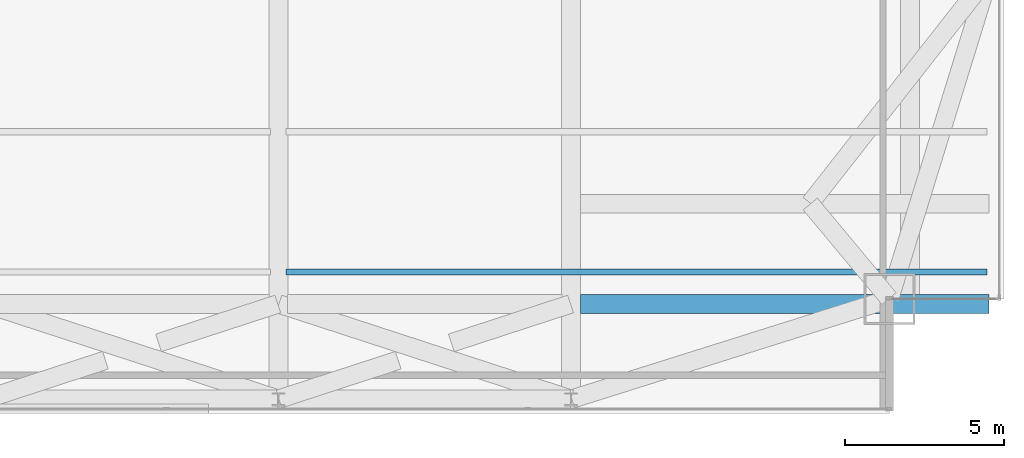
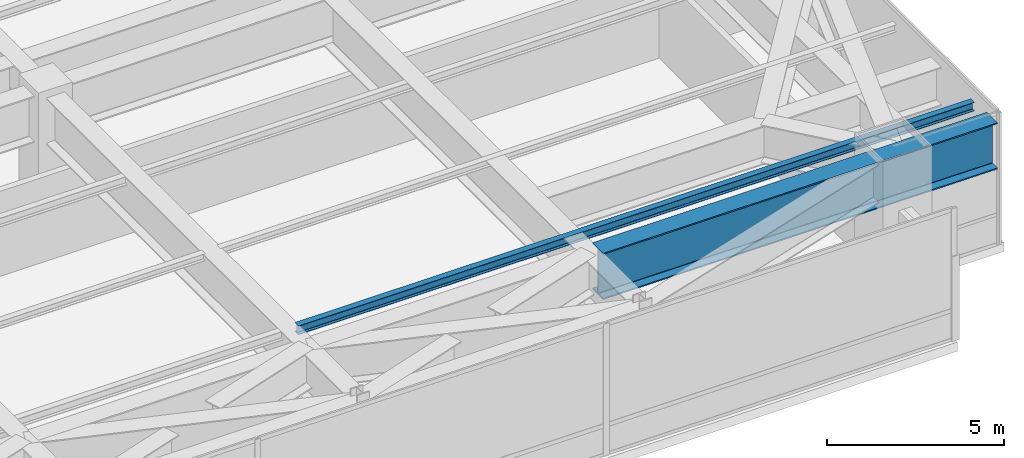
# One storey, part 15 of 30: 2 beams.
"""IFC4 building model written with IfcOpenShell, lengths in metres."""

from ifc_helpers import new_model, si_unit, direction, frame, origin, origin_2d, place, context, subcontext, project, spatial, i_section, extrude, source, transform, mapped, material, material_profile, profile_set, type_object, type_shapes, element, save


model = new_model("IFC4")

# Units and contexts
model_context = context("Model", 3, precision=1e-05, world=origin(), true_north=direction((0.0, 1.0)))
body_context = subcontext(model_context, "Body", "Model", "MODEL_VIEW")
ifc_project = project(units=[si_unit("LENGTHUNIT", "METRE"), si_unit("AREAUNIT", "SQUARE_METRE"), si_unit("VOLUMEUNIT", "CUBIC_METRE"), si_unit("PLANEANGLEUNIT", "RADIAN"), si_unit("MASSUNIT", "GRAM", prefix="KILO")], contexts=[model_context])

# Site, building, storey
site_placement = place(None, origin())
site = spatial("IfcSite", under=ifc_project, at=site_placement, CompositionType="ELEMENT")
building_placement = place(site_placement, origin())
building = spatial("IfcBuilding", under=site, at=building_placement, Name="Varnel Quay Broadcast Tower", CompositionType="ELEMENT")
storey_placement = place(building_placement, frame((0.0, 0.0, 82.199951171875)))
storey = spatial("IfcBuildingStorey", under=building, at=storey_placement, Name="L19", CompositionType="ELEMENT", Elevation=82.199951171875)

# Beams
ifc_material_1 = material(Name="Structural Steel CSA G40.21 350WT", Category="steel")
ifc_material_profile_1 = material_profile(ifc_material_1, i_section(OverallWidth=0.60009765625, OverallDepth=1.60009765625, WebThickness=0.02392578125, FlangeThickness=0.0419921875, FilletRadius=0.02197265625, at=origin_2d()), Name="WWF1600X620")
ifc_profile_set_1 = profile_set([ifc_material_profile_1], Name="Structural Steel CSA G40.21 350WT")
beam_type_1 = type_object("IfcBeamType", Name="Girder_WWF1600X620", PredefinedType="BEAM", material=ifc_profile_set_1)
shared_shape_1 = source(origin(), body_context, "Body", "SweptSolid", [
    extrude(i_section(OverallWidth=0.60009765625, OverallDepth=1.60009765625, WebThickness=0.02392578125, FlangeThickness=0.0419921875, FilletRadius=0.02197265625, at=origin_2d()), origin(), (0.0, 0.0, 1.0), 12.844970703125),
])
type_shapes(beam_type_1, [shared_shape_1])
beam_1_placement = place(storey_placement, frame((52.68505859375, 4.64990234375, 3.75), z_axis=(1.0, 0.0, 0.0), x_axis=(0.0, 1.0, 0.0)))
element("IfcBeam", 1, at=beam_1_placement, inside=storey, type_object=beam_type_1, Name="L19 Setback South Transfer Header 6", PredefinedType="BEAM", context=body_context, shape_type="MappedRepresentation", body=[
    mapped(shared_shape_1, transform((0.0, 0.0, 0.0), x_axis=(1.0, 0.0, 0.0), y_axis=(0.0, 1.0, 0.0), z_axis=(0.0, 0.0, 1.0), scale=1.0)),
])
ifc_material_2 = material(Name="Structural Steel CSA G40.21 350W", Category="steel")
ifc_material_profile_2 = material_profile(ifc_material_2, i_section(OverallWidth=0.202880859375, OverallDepth=0.302978515625, WebThickness=0.007568359375, FlangeThickness=0.01318359375, FilletRadius=0.011962890625, at=origin_2d()), Name="W310X60")
ifc_profile_set_2 = profile_set([ifc_material_profile_2], Name="Structural Steel CSA G40.21 350W")
beam_type_2 = type_object("IfcBeamType", Name="Beam_W310X60", PredefinedType="JOIST", material=ifc_profile_set_2)
shared_shape_2 = source(origin(), body_context, "Body", "SweptSolid", [
    extrude(i_section(OverallWidth=0.202880859375, OverallDepth=0.302978515625, WebThickness=0.007568359375, FlangeThickness=0.01318359375, FilletRadius=0.011962890625, at=origin_2d()), origin(), (0.0, 0.0, 1.0), 22.01953125),
])
type_shapes(beam_type_2, [shared_shape_2])
beam_2_placement = place(storey_placement, frame((43.445068359375, 5.64990234375, 4.3984375), z_axis=(1.0, 0.0, 0.0), x_axis=(0.0, 1.0, 0.0)))
element("IfcBeam", 2, at=beam_2_placement, inside=storey, type_object=beam_type_2, Name="L19 East Floor Joist 1", PredefinedType="JOIST", context=body_context, shape_type="MappedRepresentation", body=[
    mapped(shared_shape_2, transform((0.0, 0.0, 0.0), x_axis=(1.0, 0.0, 0.0), y_axis=(0.0, 1.0, 0.0), z_axis=(0.0, 0.0, 1.0), scale=1.0)),
])

save(model, "model.ifc")
